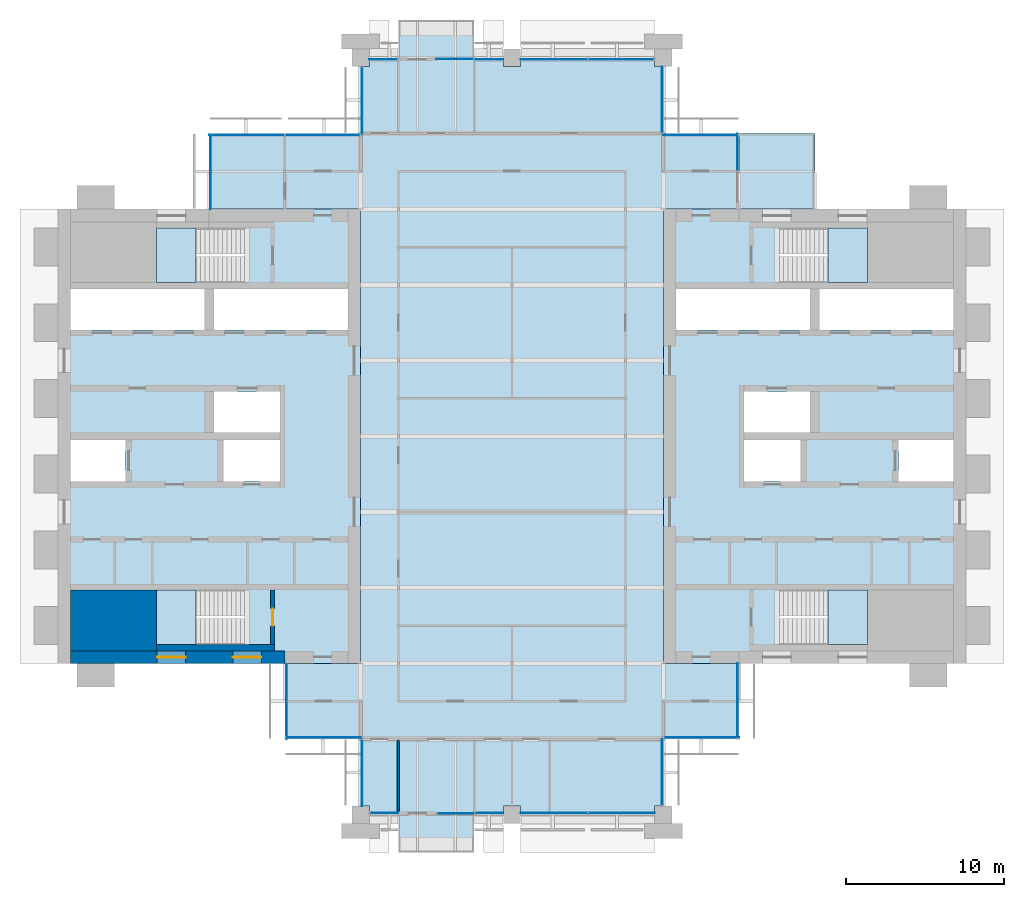
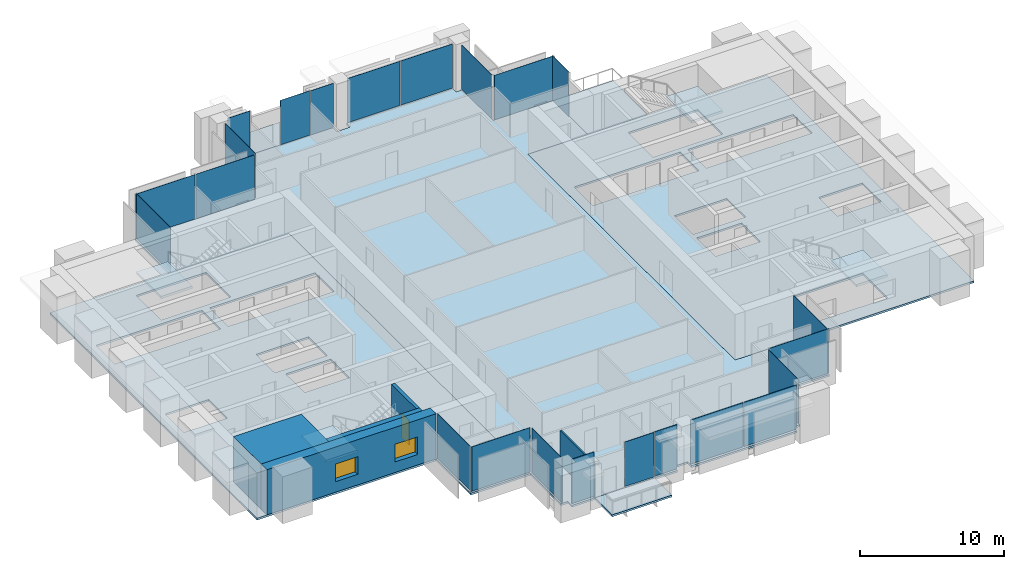
# One storey, part 7 of 14: 23 plates, 10 slabs, 5 walls, 2 windows, 1 door, 3 openings, 22 elements without a shape of their own.
"""IFC4 building model written with IfcOpenShell, lengths in metres."""

from ifc_helpers import new_model, si_unit, direction, frame, frame_2d, origin, origin_2d, place, context, subcontext, project, spatial, polyline, rectangle, outline, extrude, material, layer, layer_set, type_object, element, fill, aggregate, save


model = new_model("IFC4")

# Units and contexts
model_context = context("Model", 3, precision=1e-05, world=origin(), true_north=direction((0.0, 1.0)))
body_context = subcontext(model_context, "Body", "Model", "MODEL_VIEW")
ifc_project = project(units=[si_unit("LENGTHUNIT", "METRE"), si_unit("AREAUNIT", "SQUARE_METRE"), si_unit("VOLUMEUNIT", "CUBIC_METRE"), si_unit("PLANEANGLEUNIT", "RADIAN"), si_unit("MASSUNIT", "GRAM", prefix="KILO")], contexts=[model_context])

# Site, building, storey
site_placement = place(None, origin())
site = spatial("IfcSite", under=ifc_project, at=site_placement, CompositionType="ELEMENT")
building_placement = place(site_placement, origin())
building = spatial("IfcBuilding", under=site, at=building_placement, Name="Baori Bourse Tower", CompositionType="ELEMENT")
storey_placement = place(building_placement, frame((0.0, 0.0, 257.199951171875)))
storey = spatial("IfcBuildingStorey", under=building, at=storey_placement, Name="L57", CompositionType="ELEMENT", Elevation=257.199951171875)

# Slabs
ifc_material_1 = material(Name="Concrete f'c 40 MPa", Category="concrete")
ifc_layer_1 = layer(ifc_material_1, 0.159912109375)
ifc_layer_set_1 = layer_set([ifc_layer_1], Name="BL2 Balcony slab 160")
slab_type_1 = type_object("IfcSlabType", Name="BL2 Balcony slab 160", PredefinedType="FLOOR", material=ifc_layer_set_1)
slab_1_placement = place(storey_placement, frame((0.0, 0.0, -0.159912109375)))
element("IfcSlab", 1, at=slab_1_placement, inside=storey, type_object=slab_type_1, Name="Balcony slab L57 S", PredefinedType="FLOOR", context=body_context, shape_type="SweptSolid", body=[
    extrude(outline(polyline([(21.60009765625, 0.0), (21.60009765625, -2.39990234375), (26.39990234375, -2.39990234375), (26.39990234375, 0.0), (21.60009765625, 0.0)])), origin(), (0.0, 0.0, 1.0), 0.159912109375),
])
slab_2_placement = place(storey_placement, frame((0.0, 0.0, -0.159912109375)))
element("IfcSlab", 2, at=slab_2_placement, inside=storey, type_object=slab_type_1, Name="Balcony slab L57 N", PredefinedType="FLOOR", context=body_context, shape_type="SweptSolid", body=[
    extrude(outline(polyline([(21.60009765625, 48.0), (26.39990234375, 48.0), (26.39990234375, 50.39990234375), (21.60009765625, 50.39990234375), (21.60009765625, 48.0)])), origin(), (0.0, 0.0, 1.0), 0.159912109375),
])

# Curtain wall, plate
ifc_material_2 = material(Name="Pale anodised aluminium", Category="aluminium")
curtain_wall_type_1 = type_object("IfcCurtainWallType", Name="CW2 Curtain wall", PredefinedType="NOTDEFINED", material=ifc_material_2)
curtain_wall_1_placement = place(storey_placement, origin())
curtain_wall_1 = element("IfcCurtainWall", 3, at=curtain_wall_1_placement, inside=storey, type_object=curtain_wall_type_1, Name="Curtain wall CW2 L57 1", PredefinedType="NOTDEFINED")
ifc_material_3 = material(Name="Clear glass", Category="glass")
ifc_layer_2 = layer(ifc_material_3, 0.030029296875)
ifc_layer_set_2 = layer_set([ifc_layer_2], Name="CW2 Curtain wall panel")
plate_type_1 = type_object("IfcPlateType", Name="CW2 Curtain wall panel", PredefinedType="CURTAIN_PANEL", material=ifc_layer_set_2)
plate_1_placement = place(storey_placement, frame((43.110107421875, 42.027587890625, 0.070068359375), z_axis=(0.0, 0.0, 1.0), x_axis=(0.0, 1.0, 0.0)))
plate_1 = element("IfcPlate", 4, at=plate_1_placement, type_object=plate_type_1, Name="Curtain wall CW2 panel", PredefinedType="CURTAIN_PANEL", context=body_context, shape_type="SweptSolid", body=[
    extrude(rectangle(XDim=2.344970703125, YDim=0.030029296875, at=origin_2d()), origin(), (0.0, 0.0, 1.0), 3.77001953125),
])
aggregate(curtain_wall_1, [plate_1])

curtain_wall_2_placement = place(storey_placement, origin())
curtain_wall_2 = element("IfcCurtainWall", 5, at=curtain_wall_2_placement, inside=storey, type_object=curtain_wall_type_1, Name="Curtain wall CW2 L57 2", PredefinedType="NOTDEFINED")
plate_2_placement = place(storey_placement, frame((40.7724609375, 43.110107421875, 0.070068359375), z_axis=(0.0, 0.0, 1.0), x_axis=(-1.0, 0.0, 0.0)))
plate_2 = element("IfcPlate", 6, at=plate_2_placement, type_object=plate_type_1, Name="Curtain wall CW2 panel", PredefinedType="CURTAIN_PANEL", context=body_context, shape_type="SweptSolid", body=[
    extrude(rectangle(XDim=4.7451171875, YDim=0.030029296875, at=origin_2d()), origin(), (0.0, 0.0, 1.0), 3.77001953125),
])
aggregate(curtain_wall_2, [plate_2])

curtain_wall_3_placement = place(storey_placement, origin())
curtain_wall_3 = element("IfcCurtainWall", 7, at=curtain_wall_3_placement, inside=storey, type_object=curtain_wall_type_1, Name="Curtain wall CW2 L57 3", PredefinedType="NOTDEFINED")
plate_3_placement = place(storey_placement, frame((38.31005859375, 45.3525390625, 0.070068359375), z_axis=(0.0, 0.0, 1.0), x_axis=(0.0, 1.0, 0.0)))
plate_3 = element("IfcPlate", 8, at=plate_3_placement, type_object=plate_type_1, Name="Curtain wall CW2 panel", PredefinedType="CURTAIN_PANEL", context=body_context, shape_type="SweptSolid", body=[
    extrude(rectangle(XDim=4.195068359375, YDim=0.030029296875, at=origin_2d()), origin(), (0.0, 0.0, 1.0), 3.77001953125),
])
aggregate(curtain_wall_3, [plate_3])

curtain_wall_4_placement = place(storey_placement, origin())
curtain_wall_4 = element("IfcCurtainWall", 9, at=curtain_wall_4_placement, inside=storey, type_object=curtain_wall_type_1, Name="Curtain wall CW2 L57 7", PredefinedType="NOTDEFINED")
plate_4_placement = place(storey_placement, frame((19.2900390625, 45.297607421875, 0.070068359375), z_axis=(0.0, 0.0, 1.0), x_axis=(0.0, -1.0, 0.0)))
plate_4 = element("IfcPlate", 10, at=plate_4_placement, type_object=plate_type_1, Name="Curtain wall CW2 panel", PredefinedType="CURTAIN_PANEL", context=body_context, shape_type="SweptSolid", body=[
    extrude(rectangle(XDim=4.195068359375, YDim=0.030029296875, at=origin_2d()), origin(), (0.0, 0.0, 1.0), 3.77001953125),
])
aggregate(curtain_wall_4, [plate_4])

# Curtain wall, plates
curtain_wall_5_placement = place(storey_placement, origin())
curtain_wall_5 = element("IfcCurtainWall", 11, at=curtain_wall_5_placement, inside=storey, type_object=curtain_wall_type_1, Name="Curtain wall CW2 L57 8", PredefinedType="NOTDEFINED")
plate_5_placement = place(storey_placement, frame((16.7861328125, 43.110107421875, 0.070068359375), z_axis=(0.0, 0.0, 1.0), x_axis=(-1.0, 0.0, 0.0)))
plate_5 = element("IfcPlate", 12, at=plate_5_placement, type_object=plate_type_1, Name="Curtain wall CW2 panel", PredefinedType="CURTAIN_PANEL", context=body_context, shape_type="SweptSolid", body=[
    extrude(rectangle(XDim=4.717529296875, YDim=0.030029296875, at=origin_2d()), origin(), (0.0, 0.0, 1.0), 3.77001953125),
])
plate_6_placement = place(storey_placement, frame((11.986328125, 43.110107421875, 0.070068359375), z_axis=(0.0, 0.0, 1.0), x_axis=(-1.0, 0.0, 0.0)))
plate_6 = element("IfcPlate", 13, at=plate_6_placement, type_object=plate_type_1, Name="Curtain wall CW2 panel", PredefinedType="CURTAIN_PANEL", context=body_context, shape_type="SweptSolid", body=[
    extrude(rectangle(XDim=4.7724609375, YDim=0.030029296875, at=origin_2d()), origin(), (0.0, 0.0, 1.0), 3.77001953125),
])
aggregate(curtain_wall_5, [plate_5, plate_6])

# Curtain wall, plate
curtain_wall_6_placement = place(storey_placement, origin())
curtain_wall_6 = element("IfcCurtainWall", 14, at=curtain_wall_6_placement, inside=storey, type_object=curtain_wall_type_1, Name="Curtain wall CW2 L57 9", PredefinedType="NOTDEFINED")
plate_7_placement = place(storey_placement, frame((9.68994140625, 40.7724609375, 0.070068359375), z_axis=(0.0, 0.0, 1.0), x_axis=(0.0, -1.0, 0.0)))
plate_7 = element("IfcPlate", 15, at=plate_7_placement, type_object=plate_type_1, Name="Curtain wall CW2 panel", PredefinedType="CURTAIN_PANEL", context=body_context, shape_type="SweptSolid", body=[
    extrude(rectangle(XDim=4.7451171875, YDim=0.030029296875, at=origin_2d()), origin(), (0.0, 0.0, 1.0), 3.77001953125),
])
aggregate(curtain_wall_6, [plate_7])

curtain_wall_7_placement = place(storey_placement, origin())
curtain_wall_7 = element("IfcCurtainWall", 16, at=curtain_wall_7_placement, inside=storey, type_object=curtain_wall_type_1, Name="Curtain wall CW2 L57 10", PredefinedType="NOTDEFINED")
plate_8_placement = place(storey_placement, frame((14.489990234375, 7.172607421875, 0.070068359375), z_axis=(0.0, 0.0, 1.0), x_axis=(0.0, -1.0, 0.0)))
plate_8 = element("IfcPlate", 17, at=plate_8_placement, type_object=plate_type_1, Name="Curtain wall CW2 panel", PredefinedType="CURTAIN_PANEL", context=body_context, shape_type="SweptSolid", body=[
    extrude(rectangle(XDim=4.7451171875, YDim=0.030029296875, at=origin_2d()), origin(), (0.0, 0.0, 1.0), 3.77001953125),
])
aggregate(curtain_wall_7, [plate_8])

curtain_wall_8_placement = place(storey_placement, origin())
curtain_wall_8 = element("IfcCurtainWall", 18, at=curtain_wall_8_placement, inside=storey, type_object=curtain_wall_type_1, Name="Curtain wall CW2 L57 11", PredefinedType="NOTDEFINED")
plate_9_placement = place(storey_placement, frame((16.827392578125, 4.889892578125, 0.070068359375), z_axis=(0.0, 0.0, 1.0), x_axis=(1.0, 0.0, 0.0)))
plate_9 = element("IfcPlate", 19, at=plate_9_placement, type_object=plate_type_1, Name="Curtain wall CW2 panel", PredefinedType="CURTAIN_PANEL", context=body_context, shape_type="SweptSolid", body=[
    extrude(rectangle(XDim=4.7451171875, YDim=0.030029296875, at=origin_2d()), origin(), (0.0, 0.0, 1.0), 3.77001953125),
])
aggregate(curtain_wall_8, [plate_9])

curtain_wall_9_placement = place(storey_placement, origin())
curtain_wall_9 = element("IfcCurtainWall", 20, at=curtain_wall_9_placement, inside=storey, type_object=curtain_wall_type_1, Name="Curtain wall CW2 L57 12", PredefinedType="NOTDEFINED")
plate_10_placement = place(storey_placement, frame((19.2900390625, 2.6474609375, 0.070068359375), z_axis=(0.0, 0.0, 1.0), x_axis=(0.0, -1.0, 0.0)))
plate_10 = element("IfcPlate", 21, at=plate_10_placement, type_object=plate_type_1, Name="Curtain wall CW2 panel", PredefinedType="CURTAIN_PANEL", context=body_context, shape_type="SweptSolid", body=[
    extrude(rectangle(XDim=4.195068359375, YDim=0.030029296875, at=origin_2d()), origin(), (0.0, 0.0, 1.0), 3.77001953125),
])
aggregate(curtain_wall_9, [plate_10])

curtain_wall_10_placement = place(storey_placement, origin())
curtain_wall_10 = element("IfcCurtainWall", 22, at=curtain_wall_10_placement, inside=storey, type_object=curtain_wall_type_1, Name="Curtain wall CW2 L57 16", PredefinedType="NOTDEFINED")
plate_11_placement = place(storey_placement, frame((38.31005859375, 2.702392578125, 0.070068359375), z_axis=(0.0, 0.0, 1.0), x_axis=(0.0, 1.0, 0.0)))
plate_11 = element("IfcPlate", 23, at=plate_11_placement, type_object=plate_type_1, Name="Curtain wall CW2 panel", PredefinedType="CURTAIN_PANEL", context=body_context, shape_type="SweptSolid", body=[
    extrude(rectangle(XDim=4.195068359375, YDim=0.030029296875, at=origin_2d()), origin(), (0.0, 0.0, 1.0), 3.77001953125),
])
aggregate(curtain_wall_10, [plate_11])

curtain_wall_11_placement = place(storey_placement, origin())
curtain_wall_11 = element("IfcCurtainWall", 24, at=curtain_wall_11_placement, inside=storey, type_object=curtain_wall_type_1, Name="Curtain wall CW2 L57 17", PredefinedType="NOTDEFINED")
plate_12_placement = place(storey_placement, frame((40.827392578125, 4.889892578125, 0.070068359375), z_axis=(0.0, 0.0, 1.0), x_axis=(1.0, 0.0, 0.0)))
plate_12 = element("IfcPlate", 25, at=plate_12_placement, type_object=plate_type_1, Name="Curtain wall CW2 panel", PredefinedType="CURTAIN_PANEL", context=body_context, shape_type="SweptSolid", body=[
    extrude(rectangle(XDim=4.7451171875, YDim=0.030029296875, at=origin_2d()), origin(), (0.0, 0.0, 1.0), 3.77001953125),
])
aggregate(curtain_wall_11, [plate_12])

curtain_wall_12_placement = place(storey_placement, origin())
curtain_wall_12 = element("IfcCurtainWall", 26, at=curtain_wall_12_placement, inside=storey, type_object=curtain_wall_type_1, Name="Curtain wall CW2 L57 18", PredefinedType="NOTDEFINED")
plate_13_placement = place(storey_placement, frame((43.110107421875, 7.2275390625, 0.070068359375), z_axis=(0.0, 0.0, 1.0), x_axis=(0.0, 1.0, 0.0)))
plate_13 = element("IfcPlate", 27, at=plate_13_placement, type_object=plate_type_1, Name="Curtain wall CW2 panel", PredefinedType="CURTAIN_PANEL", context=body_context, shape_type="SweptSolid", body=[
    extrude(rectangle(XDim=4.7451171875, YDim=0.030029296875, at=origin_2d()), origin(), (0.0, 0.0, 1.0), 3.77001953125),
])
aggregate(curtain_wall_12, [plate_13])

# Curtain wall, plates
ifc_material_4 = material(Name="Pale anodised aluminium", Category="aluminium")
curtain_wall_type_2 = type_object("IfcCurtainWallType", Name="CW5 Curtain wall", PredefinedType="NOTDEFINED", material=ifc_material_4)
curtain_wall_13_placement = place(storey_placement, origin())
curtain_wall_13 = element("IfcCurtainWall", 28, at=curtain_wall_13_placement, inside=storey, type_object=curtain_wall_type_2, Name="Curtain wall CW5 L57 4", PredefinedType="NOTDEFINED")
ifc_material_5 = material(Name="Clear glass", Category="glass")
ifc_layer_3 = layer(ifc_material_5, 0.035888671875)
ifc_layer_set_3 = layer_set([ifc_layer_3], Name="CW5 Curtain wall panel")
plate_type_2 = type_object("IfcPlateType", Name="CW5 Curtain wall panel", PredefinedType="CURTAIN_PANEL", material=ifc_layer_set_3)
plate_14_placement = place(storey_placement, frame((35.708740234375, 47.889892578125, 0.085205078125), z_axis=(0.0, 0.0, 1.0), x_axis=(-1.0, 0.0, 0.0)))
plate_14 = element("IfcPlate", 29, at=plate_14_placement, type_object=plate_type_2, Name="Curtain wall CW5 panel", PredefinedType="CURTAIN_PANEL", context=body_context, shape_type="SweptSolid", body=[
    extrude(rectangle(XDim=4.152587890625, YDim=0.035888671875, at=origin_2d()), origin(), (0.0, 0.0, 1.0), 3.7548828125),
])
plate_15_placement = place(storey_placement, frame((31.458740234375, 47.889892578125, 0.085205078125), z_axis=(0.0, 0.0, 1.0), x_axis=(-1.0, 0.0, 0.0)))
plate_15 = element("IfcPlate", 30, at=plate_15_placement, type_object=plate_type_2, Name="Curtain wall CW5 panel", PredefinedType="CURTAIN_PANEL", context=body_context, shape_type="SweptSolid", body=[
    extrude(rectangle(XDim=4.217529296875, YDim=0.035888671875, at=origin_2d()), origin(), (0.0, 0.0, 1.0), 3.7548828125),
])
plate_16_placement = place(storey_placement, frame((27.324951171875, 47.889892578125, 0.085205078125), z_axis=(0.0, 0.0, 1.0), x_axis=(-1.0, 0.0, 0.0)))
plate_16 = element("IfcPlate", 31, at=plate_16_placement, type_object=plate_type_2, Name="Curtain wall CW5 panel", PredefinedType="CURTAIN_PANEL", context=body_context, shape_type="SweptSolid", body=[
    extrude(rectangle(XDim=1.85009765625, YDim=0.035888671875, at=origin_2d()), origin(), (0.0, 0.0, 1.0), 3.7548828125),
])
aggregate(curtain_wall_13, [plate_14, plate_15, plate_16])

# Curtain wall, plate
curtain_wall_14_placement = place(storey_placement, origin())
curtain_wall_14 = element("IfcCurtainWall", 32, at=curtain_wall_14_placement, inside=storey, type_object=curtain_wall_type_2, Name="Curtain wall CW5 L57 6", PredefinedType="NOTDEFINED")
plate_17_placement = place(storey_placement, frame((20.642578125, 47.889892578125, 0.085205078125), z_axis=(0.0, 0.0, 1.0), x_axis=(-1.0, 0.0, 0.0)))
plate_17 = element("IfcPlate", 33, at=plate_17_placement, type_object=plate_type_2, Name="Curtain wall CW5 panel", PredefinedType="CURTAIN_PANEL", context=body_context, shape_type="SweptSolid", body=[
    extrude(rectangle(XDim=1.784912109375, YDim=0.035888671875, at=origin_2d()), origin(), (0.0, 0.0, 1.0), 3.7548828125),
])
aggregate(curtain_wall_14, [plate_17])

curtain_wall_15_placement = place(storey_placement, origin())
curtain_wall_15 = element("IfcCurtainWall", 34, at=curtain_wall_15_placement, inside=storey, type_object=curtain_wall_type_2, Name="Curtain wall CW5 L57 13", PredefinedType="NOTDEFINED")
plate_18_placement = place(storey_placement, frame((20.70751953125, 0.110107421875, 0.085205078125), z_axis=(0.0, 0.0, 1.0), x_axis=(1.0, 0.0, 0.0)))
plate_18 = element("IfcPlate", 35, at=plate_18_placement, type_object=plate_type_2, Name="Curtain wall CW5 panel", PredefinedType="CURTAIN_PANEL", context=body_context, shape_type="SweptSolid", body=[
    extrude(rectangle(XDim=1.784912109375, YDim=0.035888671875, at=origin_2d()), origin(), (0.0, 0.0, 1.0), 3.7548828125),
])
aggregate(curtain_wall_15, [plate_18])

# Curtain wall, plates
curtain_wall_16_placement = place(storey_placement, origin())
curtain_wall_16 = element("IfcCurtainWall", 36, at=curtain_wall_16_placement, inside=storey, type_object=curtain_wall_type_2, Name="Curtain wall CW5 L57 15", PredefinedType="NOTDEFINED")
plate_19_placement = place(storey_placement, frame((27.357421875, 0.110107421875, 0.085205078125), z_axis=(0.0, 0.0, 1.0), x_axis=(1.0, 0.0, 0.0)))
plate_19 = element("IfcPlate", 37, at=plate_19_placement, type_object=plate_type_2, Name="Curtain wall CW5 panel", PredefinedType="CURTAIN_PANEL", context=body_context, shape_type="SweptSolid", body=[
    extrude(rectangle(XDim=1.784912109375, YDim=0.035888671875, at=origin_2d()), origin(), (0.0, 0.0, 1.0), 3.7548828125),
])
plate_20_placement = place(storey_placement, frame((31.458740234375, 0.110107421875, 0.085205078125), z_axis=(0.0, 0.0, 1.0), x_axis=(1.0, 0.0, 0.0)))
plate_20 = element("IfcPlate", 38, at=plate_20_placement, type_object=plate_type_2, Name="Curtain wall CW5 panel", PredefinedType="CURTAIN_PANEL", context=body_context, shape_type="SweptSolid", body=[
    extrude(rectangle(XDim=4.217529296875, YDim=0.035888671875, at=origin_2d()), origin(), (0.0, 0.0, 1.0), 3.7548828125),
])
plate_21_placement = place(storey_placement, frame((35.7412109375, 0.110107421875, 0.085205078125), z_axis=(0.0, 0.0, 1.0), x_axis=(1.0, 0.0, 0.0)))
plate_21 = element("IfcPlate", 39, at=plate_21_placement, type_object=plate_type_2, Name="Curtain wall CW5 panel", PredefinedType="CURTAIN_PANEL", context=body_context, shape_type="SweptSolid", body=[
    extrude(rectangle(XDim=4.217529296875, YDim=0.035888671875, at=origin_2d()), origin(), (0.0, 0.0, 1.0), 3.7548828125),
])
aggregate(curtain_wall_16, [plate_19, plate_20, plate_21])

# Curtain wall, plate
ifc_material_6 = material(Name="Pale anodised aluminium", Category="aluminium")
curtain_wall_type_3 = type_object("IfcCurtainWallType", Name="CW6 Curtain wall", PredefinedType="NOTDEFINED", material=ifc_material_6)
curtain_wall_17_placement = place(storey_placement, origin())
curtain_wall_17 = element("IfcCurtainWall", 40, at=curtain_wall_17_placement, inside=storey, type_object=curtain_wall_type_3, Name="Curtain wall CW6 L57 5", PredefinedType="NOTDEFINED")
ifc_material_7 = material(Name="Clear glass", Category="glass")
ifc_layer_4 = layer(ifc_material_7, 0.028076171875)
ifc_layer_set_4 = layer_set([ifc_layer_4], Name="CW6 Curtain wall panel")
plate_type_3 = type_object("IfcPlateType", Name="CW6 Curtain wall panel", PredefinedType="CURTAIN_PANEL", material=ifc_layer_set_4)
plate_22_placement = place(storey_placement, frame((25.175048828125, 47.925048828125, 0.065185546875), z_axis=(0.0, 0.0, 1.0), x_axis=(-1.0, 0.0, 0.0)))
plate_22 = element("IfcPlate", 41, at=plate_22_placement, type_object=plate_type_3, Name="Curtain wall CW6 panel", PredefinedType="CURTAIN_PANEL", context=body_context, shape_type="SweptSolid", body=[
    extrude(rectangle(XDim=2.35009765625, YDim=0.028076171875, at=origin_2d()), origin(), (0.0, 0.0, 1.0), 3.77490234375),
])
aggregate(curtain_wall_17, [plate_22])

curtain_wall_18_placement = place(storey_placement, origin())
curtain_wall_18 = element("IfcCurtainWall", 42, at=curtain_wall_18_placement, inside=storey, type_object=curtain_wall_type_3, Name="Curtain wall CW6 L57 14", PredefinedType="NOTDEFINED")
plate_23_placement = place(storey_placement, frame((25.22509765625, 0.074951171875, 0.065185546875), z_axis=(0.0, 0.0, 1.0), x_axis=(1.0, 0.0, 0.0)))
plate_23 = element("IfcPlate", 43, at=plate_23_placement, type_object=plate_type_3, Name="Curtain wall CW6 panel", PredefinedType="CURTAIN_PANEL", context=body_context, shape_type="SweptSolid", body=[
    extrude(rectangle(XDim=2.35009765625, YDim=0.028076171875, at=origin_2d()), origin(), (0.0, 0.0, 1.0), 3.77490234375),
])
aggregate(curtain_wall_18, [plate_23])

# Slabs
ifc_material_8 = material(Name="Concrete f'c 50 MPa", Category="concrete")
ifc_layer_5 = layer(ifc_material_8, 0.159912109375)
ifc_layer_set_5 = layer_set([ifc_layer_5], Name="Core slab 160")
slab_type_2 = type_object("IfcSlabType", Name="Core slab 160", PredefinedType="FLOOR", material=ifc_layer_set_5)
slab_3_placement = place(storey_placement, frame((0.0, 0.0, -0.159912109375)))
element("IfcSlab", 44, at=slab_3_placement, inside=storey, type_object=slab_type_2, Name="Core floor slab W01", PredefinedType="FLOOR", context=body_context, shape_type="SweptSolid", body=[
    extrude(outline(polyline([(19.199951171875, 38.39990234375), (0.0, 38.39990234375), (0.0, 9.60009765625), (19.199951171875, 9.60009765625), (19.199951171875, 38.39990234375)]), holes=[polyline([(9.89990234375, 33.35009765625), (18.39990234375, 33.35009765625), (18.39990234375, 30.75), (9.89990234375, 30.75), (9.89990234375, 33.35009765625)]), polyline([(10.5, 21.14990234375), (10.5, 23.75), (14.10009765625, 23.75), (14.10009765625, 21.14990234375), (10.5, 21.14990234375)]), polyline([(14.10009765625, 24.25), (9.89990234375, 24.25), (9.89990234375, 26.85009765625), (14.10009765625, 26.85009765625), (14.10009765625, 24.25)]), polyline([(6.25, 14.25), (11.84912109375, 14.25), (11.84912109375, 10.800048828125), (6.25, 10.800048828125), (6.25, 14.25)]), polyline([(11.84912109375, 37.199951171875), (11.84912109375, 33.75), (6.25, 33.75), (6.25, 37.199951171875), (11.84912109375, 37.199951171875)]), polyline([(0.800048828125, 30.75), (0.800048828125, 33.35009765625), (9.300048828125, 33.35009765625), (9.300048828125, 30.75), (0.800048828125, 30.75)]), polyline([(4.300048828125, 23.75), (4.300048828125, 21.14990234375), (0.800048828125, 21.14990234375), (0.800048828125, 23.75), (4.300048828125, 23.75)])]), origin(), (0.0, 0.0, 1.0), 0.159912109375),
])
slab_4_placement = place(storey_placement, frame((0.0, 0.0, -0.159912109375)))
element("IfcSlab", 45, at=slab_4_placement, inside=storey, type_object=slab_type_2, Name="Core floor slab E01", PredefinedType="FLOOR", context=body_context, shape_type="SweptSolid", body=[
    extrude(outline(polyline([(57.60009765625, 9.60009765625), (57.60009765625, 38.39990234375), (38.39990234375, 38.39990234375), (38.39990234375, 9.60009765625), (57.60009765625, 9.60009765625)]), holes=[polyline([(48.300048828125, 33.35009765625), (56.800048828125, 33.35009765625), (56.800048828125, 30.75), (48.300048828125, 30.75), (48.300048828125, 33.35009765625)]), polyline([(56.800048828125, 21.14990234375), (53.300048828125, 21.14990234375), (53.300048828125, 23.75), (56.800048828125, 23.75), (56.800048828125, 21.14990234375)]), polyline([(45.750732421875, 14.25), (51.35009765625, 14.25), (51.35009765625, 10.800048828125), (45.750732421875, 10.800048828125), (45.750732421875, 14.25)]), polyline([(51.35009765625, 37.199951171875), (51.35009765625, 33.75), (45.750732421875, 33.75), (45.750732421875, 37.199951171875), (51.35009765625, 37.199951171875)]), polyline([(43.5, 24.25), (43.5, 26.85009765625), (47.699951171875, 26.85009765625), (47.699951171875, 24.25), (43.5, 24.25)]), polyline([(47.699951171875, 33.35009765625), (47.699951171875, 30.75), (39.199951171875, 30.75), (39.199951171875, 33.35009765625), (47.699951171875, 33.35009765625)]), polyline([(43.5, 23.75), (47.10009765625, 23.75), (47.10009765625, 21.14990234375), (43.5, 21.14990234375), (43.5, 23.75)])]), origin(), (0.0, 0.0, 1.0), 0.159912109375),
])

# Stair, slab
ifc_material_9 = material(Name="Concrete f'c 50 MPa", Category="concrete")
stair_type = type_object("IfcStairType", Name="Core stair", PredefinedType="HALF_TURN_STAIR", material=ifc_material_9)
stair_1_placement = place(storey_placement, origin())
stair_1 = element("IfcStair", 46, at=stair_1_placement, inside=storey, type_object=stair_type, Name="L57 Stair WA", PredefinedType="HALF_TURN_STAIR")
ifc_material_10 = material(Name="Concrete f'c 50 MPa", Category="concrete")
slab_type_3 = type_object("IfcSlabType", Name="Core stair landing", PredefinedType="LANDING", material=ifc_material_10)
slab_5_placement = place(storey_placement, frame((0.0, 0.0, 1.800048828125)))
slab_5 = element("IfcSlab", 47, at=slab_5_placement, type_object=slab_type_3, Name="ST1 landing 1", PredefinedType="LANDING", context=body_context, shape_type="SweptSolid", body=[
    extrude(outline(polyline([(8.77001953125, 14.25), (6.25, 14.25), (6.25, 10.800048828125), (8.77001953125, 10.800048828125), (8.77001953125, 14.25)])), origin(), (0.0, 0.0, 1.0), 0.199951171875),
])
aggregate(stair_1, [slab_5])

stair_2_placement = place(storey_placement, origin())
stair_2 = element("IfcStair", 48, at=stair_2_placement, inside=storey, type_object=stair_type, Name="L57 Stair WB", PredefinedType="HALF_TURN_STAIR")
slab_6_placement = place(storey_placement, frame((0.0, 0.0, 1.800048828125)))
slab_6 = element("IfcSlab", 49, at=slab_6_placement, type_object=slab_type_3, Name="ST2 landing 1", PredefinedType="LANDING", context=body_context, shape_type="SweptSolid", body=[
    extrude(outline(polyline([(8.77001953125, 37.199951171875), (6.25, 37.199951171875), (6.25, 33.75), (8.77001953125, 33.75), (8.77001953125, 37.199951171875)])), origin(), (0.0, 0.0, 1.0), 0.199951171875),
])
aggregate(stair_2, [slab_6])

stair_3_placement = place(storey_placement, origin())
stair_3 = element("IfcStair", 50, at=stair_3_placement, inside=storey, type_object=stair_type, Name="L57 Stair EA", PredefinedType="HALF_TURN_STAIR")
slab_7_placement = place(storey_placement, frame((0.0, 0.0, 1.800048828125)))
slab_7 = element("IfcSlab", 51, at=slab_7_placement, type_object=slab_type_3, Name="ST3 landing 1", PredefinedType="LANDING", context=body_context, shape_type="SweptSolid", body=[
    extrude(outline(polyline([(48.830078125, 10.800048828125), (51.35009765625, 10.800048828125), (51.35009765625, 14.25), (48.830078125, 14.25), (48.830078125, 10.800048828125)])), origin(), (0.0, 0.0, 1.0), 0.199951171875),
])
aggregate(stair_3, [slab_7])

stair_4_placement = place(storey_placement, origin())
stair_4 = element("IfcStair", 52, at=stair_4_placement, inside=storey, type_object=stair_type, Name="L57 Stair EB", PredefinedType="HALF_TURN_STAIR")
slab_8_placement = place(storey_placement, frame((0.0, 0.0, 1.800048828125)))
slab_8 = element("IfcSlab", 53, at=slab_8_placement, type_object=slab_type_3, Name="ST4 landing 1", PredefinedType="LANDING", context=body_context, shape_type="SweptSolid", body=[
    extrude(outline(polyline([(48.830078125, 33.75), (51.35009765625, 33.75), (51.35009765625, 37.199951171875), (48.830078125, 37.199951171875), (48.830078125, 33.75)])), origin(), (0.0, 0.0, 1.0), 0.199951171875),
])
aggregate(stair_4, [slab_8])

# Slabs
ifc_material_11 = material(Name="Concrete f'c 40 MPa", Category="concrete")
ifc_layer_6 = layer(ifc_material_11, 0.159912109375)
ifc_layer_set_6 = layer_set([ifc_layer_6], Name="Floor slab 160")
slab_type_4 = type_object("IfcSlabType", Name="Floor slab 160", PredefinedType="FLOOR", material=ifc_layer_set_6)
slab_9_placement = place(storey_placement, frame((0.0, 0.0, -0.159912109375)))
element("IfcSlab", 54, at=slab_9_placement, inside=storey, type_object=slab_type_4, Name="Floor slab L57", PredefinedType="FLOOR", context=body_context, shape_type="SweptSolid", body=[
    extrude(outline(polyline([(19.199951171875, 4.800048828125), (14.39990234375, 4.800048828125), (14.39990234375, 9.60009765625), (19.199951171875, 9.60009765625), (19.199951171875, 38.39990234375), (9.60009765625, 38.39990234375), (9.60009765625, 43.199951171875), (19.199951171875, 43.199951171875), (19.199951171875, 47.449951171875), (19.75, 47.449951171875), (19.75, 48.0), (28.25, 48.0), (28.25, 47.449951171875), (29.35009765625, 47.449951171875), (29.35009765625, 48.0), (37.85009765625, 48.0), (37.85009765625, 47.449951171875), (38.39990234375, 47.449951171875), (38.39990234375, 43.199951171875), (43.199951171875, 43.199951171875), (43.199951171875, 38.39990234375), (38.39990234375, 38.39990234375), (38.39990234375, 9.60009765625), (43.199951171875, 9.60009765625), (43.199951171875, 4.800048828125), (38.39990234375, 4.800048828125), (38.39990234375, 0.550048828125), (37.85009765625, 0.550048828125), (37.85009765625, 0.0), (29.35009765625, 0.0), (29.35009765625, 0.550048828125), (28.25, 0.550048828125), (28.25, 0.0), (19.75, 0.0), (19.75, 0.550048828125), (19.199951171875, 0.550048828125), (19.199951171875, 4.800048828125)])), origin(), (0.0, 0.0, 1.0), 0.159912109375),
])
ifc_material_12 = material(Name="Concrete f'c 40 MPa", Category="concrete")
ifc_layer_7 = layer(ifc_material_12, 0.159912109375)
ifc_layer_set_7 = layer_set([ifc_layer_7], Name="Terrace slab 160")
slab_type_5 = type_object("IfcSlabType", Name="Terrace slab 160", PredefinedType="ROOF", material=ifc_layer_set_7)
slab_10_placement = place(storey_placement, frame((0.0, 0.0, -0.159912109375)))
element("IfcSlab", 55, at=slab_10_placement, inside=storey, type_object=slab_type_5, Name="Terrace slab NE L57", PredefinedType="ROOF", context=body_context, shape_type="SweptSolid", body=[
    extrude(outline(polyline([(43.202880859375, 43.197021484375), (47.9970703125, 43.197021484375), (47.9970703125, 38.403076171875), (43.202880859375, 38.403076171875), (43.202880859375, 43.197021484375)])), origin(), (0.0, 0.0, 1.0), 0.159912109375),
])

# Wall
ifc_material_13 = material(Name="Concrete f'c 50 MPa", Category="concrete")
wall_type_1 = type_object("IfcWallType", Name="Core corner block f'c 50", PredefinedType="SHEAR", material=ifc_material_13)
wall_1_placement = place(storey_placement, frame((0.800048828125, 12.324951171875, 0.0), z_axis=(0.0, 0.0, 1.0), x_axis=(1.0, 0.0, 0.0)))
element("IfcWall", 56, at=wall_1_placement, inside=storey, type_object=wall_type_1, Name="Core wall W05", PredefinedType="SHEAR", context=body_context, shape_type="SweptSolid", body=[
    extrude(rectangle(XDim=5.449951171875, YDim=3.85009765625, at=frame_2d((2.72509765625, 0.0))), origin(), (0.0, 0.0, 1.0), 3.840087890625),
])

# Wall, openings, windows
ifc_material_14 = material(Name="Concrete f'c 50 MPa", Category="concrete")
ifc_layer_8 = layer(ifc_material_14, 0.800048828125)
ifc_layer_set_8 = layer_set([ifc_layer_8], Name="Core wall 800 f'c 50")
wall_type_2 = type_object("IfcWallType", Name="Core wall 800 f'c 50", PredefinedType="SHEAR", material=ifc_layer_set_8)
wall_2_placement = place(storey_placement, frame((14.39990234375, 10.0, 0.0), z_axis=(0.0, 0.0, 1.0), x_axis=(-1.0, 0.0, 0.0)))
wall_2 = element("IfcWall", 57, at=wall_2_placement, inside=storey, type_object=wall_type_2, Name="Core wall W02", PredefinedType="SHEAR", context=body_context, shape_type="SweptSolid", body=[
    extrude(rectangle(XDim=13.599853515625, YDim=0.800048828125, at=frame_2d((6.7998046875, 0.0))), origin(), (0.0, 0.0, 1.0), 3.840087890625),
])
opening_1_placement = place(wall_2_placement, frame((6.300048828125, 0.0, 0.89990234375)))
opening_1 = element("IfcOpeningElement", 58, at=opening_1_placement, cuts=wall_2, Name="Opening L57-KW103", PredefinedType="OPENING", context=body_context, shape_type="SweptSolid", body=[
    extrude(rectangle(XDim=1.800048828125, YDim=1.5, at=frame_2d((0.89990234375, 0.75))), frame((0.0, 0.409912109375, 0.0), z_axis=(0.0, -1.0, 0.0), x_axis=(1.0, 0.0, 0.0)), (0.0, 0.0, 1.0), 0.820068359375),
])
opening_2_placement = place(wall_2_placement, frame((1.5, 0.0, 0.89990234375)))
opening_2 = element("IfcOpeningElement", 59, at=opening_2_placement, cuts=wall_2, Name="Opening L57-KW104", PredefinedType="OPENING", context=body_context, shape_type="SweptSolid", body=[
    extrude(rectangle(XDim=1.800048828125, YDim=1.5, at=frame_2d((0.89990234375, 0.75))), frame((0.0, 0.409912109375, 0.0), z_axis=(0.0, -1.0, 0.0), x_axis=(1.0, 0.0, 0.0)), (0.0, 0.0, 1.0), 0.820068359375),
])
ifc_material_15 = material(Name="Pale anodised aluminium", Category="aluminium")
window_type = type_object("IfcWindowType", Name="Stair window 1800 x 1500", PartitioningType="SINGLE_PANEL", PredefinedType="WINDOW", material=ifc_material_15)
window_1_placement = place(opening_1_placement, origin())
window_1 = element("IfcWindow", 60, at=window_1_placement, inside=storey, type_object=window_type, Name="Stair window W L57 3", OverallHeight=1.5, OverallWidth=1.800048828125, PartitioningType="SINGLE_PANEL", PredefinedType="WINDOW", context=body_context, shape_type="SweptSolid", body=[
    extrude(rectangle(XDim=1.800048828125, YDim=1.5, at=frame_2d((0.89990234375, 0.75))), frame((0.0, 0.030029296875, 0.0), z_axis=(0.0, -1.0, 0.0), x_axis=(1.0, 0.0, 0.0)), (0.0, 0.0, 1.0), 0.06005859375),
])
fill(opening_1, window_1)
window_2_placement = place(opening_2_placement, origin())
window_2 = element("IfcWindow", 61, at=window_2_placement, inside=storey, type_object=window_type, Name="Stair window W L57 4", OverallHeight=1.5, OverallWidth=1.800048828125, PartitioningType="SINGLE_PANEL", PredefinedType="WINDOW", context=body_context, shape_type="SweptSolid", body=[
    extrude(rectangle(XDim=1.800048828125, YDim=1.5, at=frame_2d((0.89990234375, 0.75))), frame((0.0, 0.030029296875, 0.0), z_axis=(0.0, -1.0, 0.0), x_axis=(1.0, 0.0, 0.0)), (0.0, 0.0, 1.0), 0.06005859375),
])
fill(opening_2, window_2)

# Wall
ifc_material_16 = material(Name="Gypsum board partition")
ifc_layer_9 = layer(ifc_material_16, 0.125)
ifc_layer_set_9 = layer_set([ifc_layer_9], Name="Partition 125")
wall_type_3 = type_object("IfcWallType", Name="Partition 125", PredefinedType="PARTITIONING", material=ifc_layer_set_9)
wall_3_placement = place(storey_placement, frame((21.60009765625, 0.10009765625, 0.0), z_axis=(0.0, 0.0, 1.0), x_axis=(0.0, 1.0, 0.0)))
element("IfcWall", 62, at=wall_3_placement, inside=storey, type_object=wall_type_3, Name="Partition", PredefinedType="PARTITIONING", context=body_context, shape_type="SweptSolid", body=[
    extrude(rectangle(XDim=4.625, YDim=0.125, at=frame_2d((2.3125, 0.0))), origin(), (0.0, 0.0, 1.0), 2.869873046875),
])

# Wall, opening, door
ifc_material_17 = material(Name="Concrete f'c 50 MPa", Category="concrete")
ifc_layer_10 = layer(ifc_material_17, 0.25)
ifc_layer_set_10 = layer_set([ifc_layer_10], Name="Shaft wall 250 f'c 50")
wall_type_4 = type_object("IfcWallType", Name="Shaft wall 250 f'c 50", PredefinedType="SHEAR", material=ifc_layer_set_10)
wall_4_placement = place(storey_placement, frame((13.625, 10.800048828125, 0.0), z_axis=(0.0, 0.0, 1.0), x_axis=(0.0, 1.0, 0.0)))
wall_4 = element("IfcWall", 63, at=wall_4_placement, inside=storey, type_object=wall_type_4, Name="Core wall W07", PredefinedType="SHEAR", context=body_context, shape_type="SweptSolid", body=[
    extrude(rectangle(XDim=3.449951171875, YDim=0.25, at=frame_2d((1.72509765625, 0.0))), origin(), (0.0, 0.0, 1.0), 3.840087890625),
])
opening_3_placement = place(wall_4_placement, frame((1.175048828125, 0.0, 0.0)))
opening_3 = element("IfcOpeningElement", 64, at=opening_3_placement, cuts=wall_4, Name="Opening L57-D101", PredefinedType="OPENING", context=body_context, shape_type="SweptSolid", body=[
    extrude(rectangle(XDim=1.10009765625, YDim=2.10009765625, at=frame_2d((0.550048828125, 1.050048828125))), frame((0.0, 0.135009765625, 0.0), z_axis=(0.0, -1.0, 0.0), x_axis=(1.0, 0.0, 0.0)), (0.0, 0.0, 1.0), 0.27001953125),
])
ifc_material_18 = material(Name="Painted steel door", Category="steel")
door_type = type_object("IfcDoorType", Name="Stair door 1100", OperationType="SINGLE_SWING_LEFT", PredefinedType="DOOR", material=ifc_material_18)
door_placement = place(opening_3_placement, origin())
door = element("IfcDoor", 65, at=door_placement, inside=storey, type_object=door_type, Name="Stair door A W L57", OperationType="SINGLE_SWING_LEFT", OverallHeight=2.10009765625, OverallWidth=1.10009765625, PredefinedType="DOOR", context=body_context, shape_type="SweptSolid", body=[
    extrude(rectangle(XDim=1.10009765625, YDim=2.10009765625, at=frame_2d((0.550048828125, 1.050048828125))), frame((0.0, 0.02490234375, 0.0), z_axis=(0.0, -1.0, 0.0), x_axis=(1.0, 0.0, 0.0)), (0.0, 0.0, 1.0), 0.050048828125),
])
fill(opening_3, door)

# Wall
ifc_material_19 = material(Name="Concrete f'c 50 MPa", Category="concrete")
ifc_layer_11 = layer(ifc_material_19, 0.39990234375)
ifc_layer_set_11 = layer_set([ifc_layer_11], Name="Shaft wall 400 f'c 50")
wall_type_5 = type_object("IfcWallType", Name="Shaft wall 400 f'c 50", PredefinedType="SHEAR", material=ifc_layer_set_11)
wall_5_placement = place(storey_placement, frame((6.25, 10.60009765625, 0.0), z_axis=(0.0, 0.0, 1.0), x_axis=(1.0, 0.0, 0.0)))
element("IfcWall", 66, at=wall_5_placement, inside=storey, type_object=wall_type_5, Name="Core wall W06", PredefinedType="SHEAR", context=body_context, shape_type="SweptSolid", body=[
    extrude(rectangle(XDim=7.5, YDim=0.39990234375, at=frame_2d((3.75, 0.0))), origin(), (0.0, 0.0, 1.0), 3.840087890625),
])

save(model, "model.ifc")
